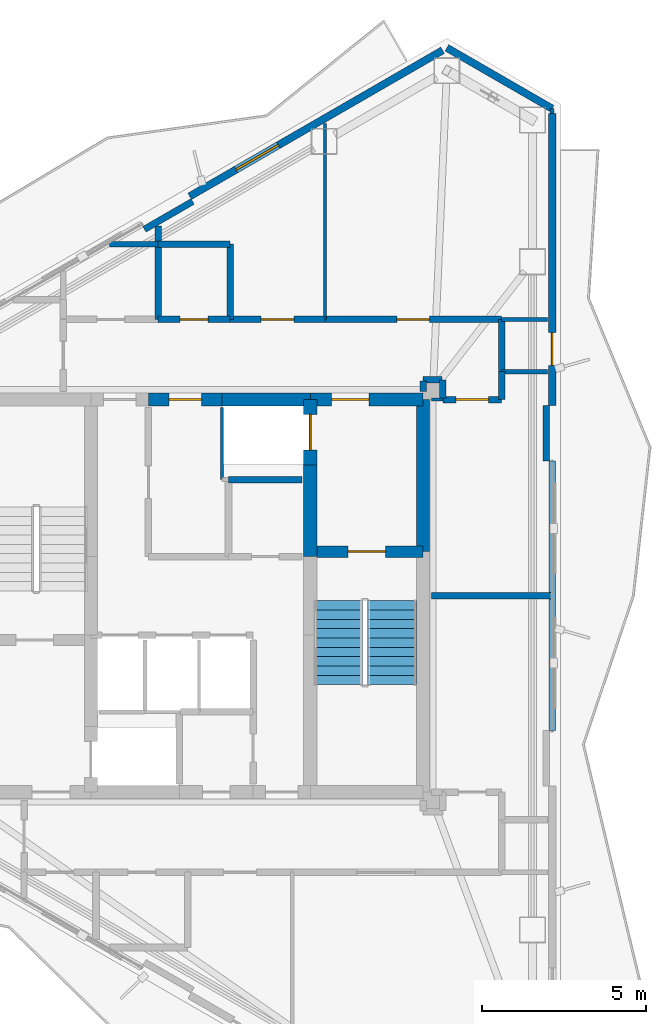
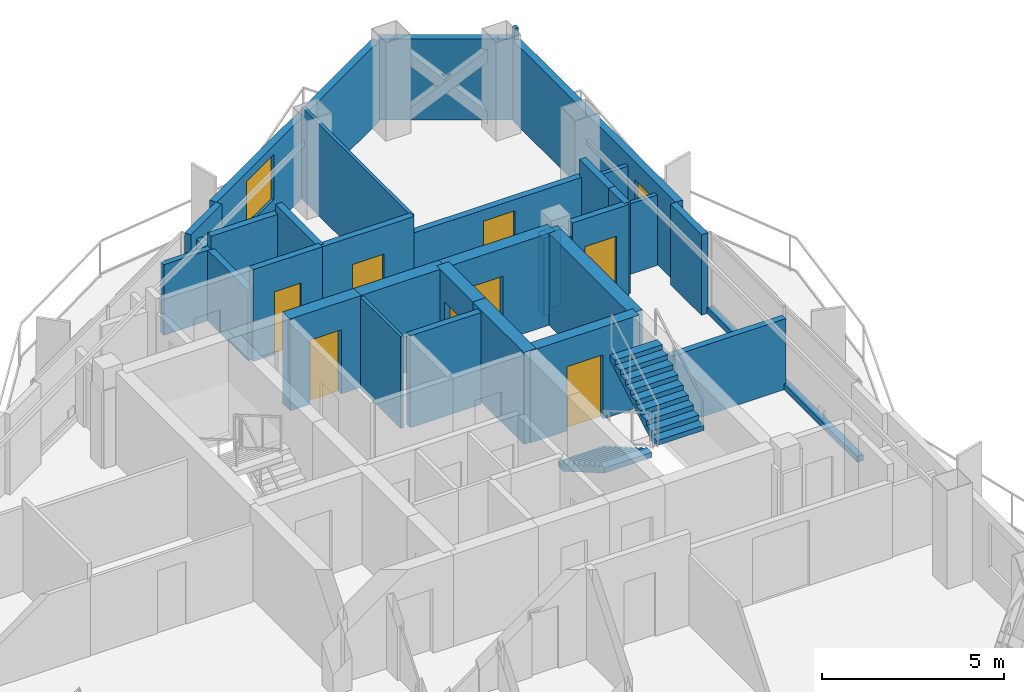
# One storey, part 16 of 18: 34 walls, 9 doors, 2 stair flights, 1 window, 10 openings, 1 element without a shape of its own.
"""IFC4 building model written with IfcOpenShell, lengths in metres."""

import ifcopenshell
import ifcopenshell.guid

model = None  # the IFC model being written
_history = None  # IfcOwnerHistory: only IFC2X3 demands one
_inside = {}  # id of a spatial element -> (the spatial element, [elements in it])
_under = {}  # id of a project, library or spatial element -> (it, [spatial elements below it])
_declared = {}  # id of a project -> (the project, [libraries it declares])
_typed = {}  # id of a type object -> (the type object, [elements of that type])
_made_of = {}  # id of a material, layer set ... -> (it, [elements and type objects made of it])


def new_model(schema):
    """Start an empty IFC model of exactly this schema.

    Asked for "IFC4X3", IfcOpenShell would pick the latest addendum, in which some entities
    have other attributes; the version numbers below select the first issue.
    IFC2X3 requires an IfcOwnerHistory on every rooted entity: one is made here for all.
    """
    global model, _history
    if schema == "IFC4X3":
        model = ifcopenshell.file(schema_version=(4, 3, 0, 0))
    else:
        model = ifcopenshell.file(schema=schema)
    _inside.clear()
    _under.clear()
    _declared.clear()
    _typed.clear()
    _made_of.clear()
    _history = None
    if model.schema == "IFC2X3":
        org = make("IfcOrganization", Name="unknown")
        user = make(
            "IfcPersonAndOrganization",
            ThePerson=make("IfcPerson", FamilyName="unknown"),
            TheOrganization=org,
        )
        app = make(
            "IfcApplication",
            ApplicationDeveloper=org,
            Version="unknown",
            ApplicationFullName="unknown",
            ApplicationIdentifier="unknown",
        )
        _history = make(
            "IfcOwnerHistory",
            OwningUser=user,
            OwningApplication=app,
            ChangeAction="ADDED",
            CreationDate=0,
        )
    return model


def make(cls, **values):
    """One entity of the class cls with the attributes given. An attribute that is None is left unset."""
    return model.create_entity(
        cls, **{name: value for name, value in values.items() if value is not None}
    )


def rooted(cls, **values):
    """An entity with a GlobalId (a new one), such as an element, a storey or a relation."""
    return make(cls, GlobalId=ifcopenshell.guid.new(), OwnerHistory=_history, **values)


def si_unit(unit_type, name, prefix=None):
    """IfcSIUnit, for example si_unit("LENGTHUNIT", "METRE", prefix="MILLI")."""
    return make("IfcSIUnit", UnitType=unit_type, Prefix=prefix, Name=name)


def assignment(units):
    """IfcUnitAssignment: the units of a project."""
    return None if units is None else make("IfcUnitAssignment", Units=units)


def point(xyz):
    """IfcCartesianPoint."""
    return None if xyz is None else make("IfcCartesianPoint", Coordinates=xyz)


def direction(xyz):
    """IfcDirection."""
    return None if xyz is None else make("IfcDirection", DirectionRatios=xyz)


def frame(location, z_axis=None, x_axis=None):
    """IfcAxis2Placement3D, a coordinate frame: its origin and axes. An axis left out is left unset."""
    return make(
        "IfcAxis2Placement3D",
        Location=point(location),
        Axis=direction(z_axis),
        RefDirection=direction(x_axis),
    )


def frame_2d(location, x_axis=None):
    """IfcAxis2Placement2D, a coordinate frame in the plane: its origin and x axis."""
    return make(
        "IfcAxis2Placement2D", Location=point(location), RefDirection=direction(x_axis)
    )


def origin():
    """The frame at (0, 0, 0) with its axes left unset."""
    return frame((0.0, 0.0, 0.0))


def place(relative_to, where):
    """IfcLocalPlacement: puts the frame where relative to a parent placement (None: the world)."""
    return make(
        "IfcLocalPlacement", PlacementRelTo=relative_to, RelativePlacement=where
    )


def context(
    kind, dimensions, precision=None, world=None, true_north=None, identifier=None
):
    """IfcGeometricRepresentationContext, for example the 3D "Model" context."""
    return make(
        "IfcGeometricRepresentationContext",
        ContextIdentifier=identifier,
        ContextType=kind,
        CoordinateSpaceDimension=dimensions,
        Precision=precision,
        WorldCoordinateSystem=world,
        TrueNorth=true_north,
    )


def subcontext(parent, identifier, kind, view, scale=None):
    """IfcGeometricRepresentationSubContext, for example "Body" below "Model"."""
    return make(
        "IfcGeometricRepresentationSubContext",
        ContextIdentifier=identifier,
        ContextType=kind,
        ParentContext=parent,
        TargetScale=scale,
        TargetView=view,
    )


def project(units=None, contexts=None):
    """IfcProject with its units and contexts."""
    return rooted(
        "IfcProject",
        Name="project",
        RepresentationContexts=contexts,
        UnitsInContext=assignment(units),
    )


def spatial(cls, under=None, at=None, **own):
    """A site, building, storey or space (cls), placed at a placement, below another one or the project."""
    s = rooted(cls, ObjectPlacement=at, **own)
    if under is not None:
        _under.setdefault(under.id(), (under, []))[1].append(s)
    return s


def polyline(points):
    """IfcPolyline through the points."""
    return make("IfcPolyline", Points=[point(p) for p in points])


def profile(cls, at=None, kind="AREA", **sizes):
    """A parametric profile (cls). Its sizes go by their IFC names, for example OverallWidth=200.0."""
    return make(cls, ProfileType=kind, Position=at, **sizes)


def rectangle(**sizes):
    """IfcRectangleProfileDef."""
    return profile("IfcRectangleProfileDef", **sizes)


def outline(outer, holes=None, kind="AREA"):
    """IfcArbitraryClosedProfileDef: a profile drawn as a closed curve; with holes, ...WithVoids."""
    if holes is None:
        return make("IfcArbitraryClosedProfileDef", ProfileType=kind, OuterCurve=outer)
    return make(
        "IfcArbitraryProfileDefWithVoids",
        ProfileType=kind,
        OuterCurve=outer,
        InnerCurves=holes,
    )


def extrude(swept, where, along, depth):
    """IfcExtrudedAreaSolid: the profile swept, set in the frame where, extruded along a direction by depth."""
    return make(
        "IfcExtrudedAreaSolid",
        SweptArea=swept,
        Position=where,
        ExtrudedDirection=direction(along),
        Depth=depth,
    )


def shape(context_of_items, identifier, shape_type, items):
    """IfcShapeRepresentation: the items that make up one representation, for example the "Body"."""
    return make(
        "IfcShapeRepresentation",
        ContextOfItems=context_of_items,
        RepresentationIdentifier=identifier,
        RepresentationType=shape_type,
        Items=items,
    )


def material(Name=None, Category=None):
    """IfcMaterial."""
    return make("IfcMaterial", Name=Name, Category=Category)


def layer(
    of_material, thickness, ventilated=None, Name=None, Category=None, Priority=None
):
    """IfcMaterialLayer: one layer of a wall or slab, of a material (None: an air gap)."""
    return make(
        "IfcMaterialLayer",
        Material=of_material,
        LayerThickness=thickness,
        IsVentilated=ventilated,
        Name=Name,
        Category=Category,
        Priority=Priority,
    )


def layer_set(layers, Name=None):
    """IfcMaterialLayerSet."""
    return make("IfcMaterialLayerSet", MaterialLayers=layers, LayerSetName=Name)


def made_of(thing, what):
    """Note that an element or type object is made of a material, layer set ...; save() writes the relation."""
    if what is not None:
        _made_of.setdefault(what.id(), (what, []))[1].append(thing)
    return thing


def type_object(cls, material=None, **own):
    """A type object (cls), such as IfcWallType, which elements share."""
    return made_of(rooted(cls, **own), material)


def element(
    cls,
    number,
    at=None,
    inside=None,
    cuts=None,
    type_object=None,
    material=None,
    context=None,
    identifier="Body",
    shape_type=None,
    held_by="IfcProductDefinitionShape",
    body=None,
    shapes=None,
    **own,
):
    """One element of the class cls, such as IfcWall. Its Tag is "e" and its number.

    at: its placement. inside: the storey or other place that contains it. cuts: it is an
    opening in that element (IfcRelVoidsElement). A single representation is given by context,
    identifier, shape_type and body (its items); several are given by shapes. held_by: the class
    of the entity that holds the representations. save() writes the other relations.
    """
    e = rooted(cls, Tag="e%d" % number, ObjectPlacement=at, **own)
    if body is not None:
        shapes = [shape(context, identifier, shape_type, body)]
    if shapes is not None:
        e.Representation = make(held_by, Representations=shapes)
    if inside is not None:
        _inside.setdefault(inside.id(), (inside, []))[1].append(e)
    if cuts is not None:
        rooted(
            "IfcRelVoidsElement", RelatingBuildingElement=cuts, RelatedOpeningElement=e
        )
    if type_object is not None:
        _typed.setdefault(type_object.id(), (type_object, []))[1].append(e)
    return made_of(e, material)


def fill(opening, filler):
    """IfcRelFillsElement: the door or window that sits in an opening."""
    return rooted(
        "IfcRelFillsElement",
        RelatingOpeningElement=opening,
        RelatedBuildingElement=filler,
    )


def aggregate(whole, parts):
    """IfcRelAggregates: a whole, such as a stair, and the parts it consists of."""
    return rooted("IfcRelAggregates", RelatingObject=whole, RelatedObjects=parts)


def save(model, path):
    """Write the relations noted so far, then the file.

    IfcRelAggregates (storeys below a building ...), IfcRelContainedInSpatialStructure (elements
    in a storey), IfcRelDefinesByType, IfcRelAssociatesMaterial and IfcRelDeclares: one each for
    every whole, place, type object, material and project.
    """
    for whole, parts in _under.values():
        aggregate(whole, parts)
    for where, things in _inside.values():
        rooted(
            "IfcRelContainedInSpatialStructure",
            RelatedElements=things,
            RelatingStructure=where,
        )
    for kind, things in _typed.values():
        rooted("IfcRelDefinesByType", RelatedObjects=things, RelatingType=kind)
    for what, things in _made_of.values():
        rooted("IfcRelAssociatesMaterial", RelatedObjects=things, RelatingMaterial=what)
    for by, libraries in _declared.values():
        rooted("IfcRelDeclares", RelatingContext=by, RelatedDefinitions=libraries)
    model.write(path)


model = new_model("IFC4")

# Units and contexts
model_context = context("Model", 3, precision=1e-05, world=origin(), true_north=direction((0.0, 1.0)))
body_context = subcontext(model_context, "Body", "Model", "MODEL_VIEW")
ifc_project = project(units=[si_unit("LENGTHUNIT", "METRE"), si_unit("AREAUNIT", "SQUARE_METRE"), si_unit("VOLUMEUNIT", "CUBIC_METRE"), si_unit("PLANEANGLEUNIT", "RADIAN"), si_unit("MASSUNIT", "GRAM", prefix="KILO")], contexts=[model_context])

# Site, building, storey
site_placement = place(None, origin())
site = spatial("IfcSite", under=ifc_project, at=site_placement, CompositionType="ELEMENT")
building_placement = place(site_placement, origin())
building = spatial("IfcBuilding", under=site, at=building_placement, Name="Mersakhor Tower and Convention Hall", CompositionType="ELEMENT")
storey_placement = place(building_placement, frame((0.0, 0.0, 236.39990234375)))
storey = spatial("IfcBuildingStorey", under=building, at=storey_placement, Name="L66", CompositionType="ELEMENT", Elevation=236.39990234375)

# Wall
ifc_material_1 = material(Name="Precast concrete C40/50", Category="concrete")
ifc_layer_1 = layer(ifc_material_1, 0.22509765625)
ifc_layer_set_1 = layer_set([ifc_layer_1], Name="Precast concrete C40/50")
wall_type_1 = type_object("IfcWallType", Name="WL-EXT-225", PredefinedType="SOLIDWALL", material=ifc_layer_set_1)
wall_1_placement = place(storey_placement, frame((36.525146484375, 43.49951171875, 0.0), z_axis=(0.0, 0.0, 1.0), x_axis=(0.866038962515, -0.499976514854, 0.0)))
element("IfcWall", 1, at=wall_1_placement, inside=storey, type_object=wall_type_1, Name="L66 Chamfer Braced Spandrel Wall C1", PredefinedType="SOLIDWALL", context=body_context, shape_type="SweptSolid", body=[
    extrude(rectangle(XDim=3.715576171875, YDim=0.22509765625, at=frame_2d((1.85791015625, 0.0))), origin(), (0.0, 0.0, 1.0), 2.7001953125),
])

# Wall, opening, window
wall_2_placement = place(storey_placement, frame((28.66357421875, 38.96044921875, 0.0), z_axis=(0.0, 0.0, 1.0), x_axis=(0.866026655105, 0.499997832642, 0.0)))
wall_2 = element("IfcWall", 2, at=wall_2_placement, inside=storey, type_object=wall_type_1, Name="L66 Exterior Facade Wall F1-B3", PredefinedType="SOLIDWALL", context=body_context, shape_type="SweptSolid", body=[
    extrude(rectangle(XDim=8.927734375, YDim=0.22509765625, at=frame_2d((4.4638671875, 0.0))), origin(), (0.0, 0.0, 1.0), 2.7001953125),
])
opening_1_placement = place(wall_2_placement, frame((1.634033203125, 0.0, 0.89990234375)))
opening_1 = element("IfcOpeningElement", 3, at=opening_1_placement, cuts=wall_2, Name="Opening W-02", PredefinedType="OPENING", context=body_context, shape_type="SweptSolid", body=[
    extrude(rectangle(XDim=1.5, YDim=1.5, at=frame_2d((0.75, 0.75))), frame((0.0, 0.12255859375, 0.0), z_axis=(0.0, -1.0, 0.0), x_axis=(1.0, 0.0, 0.0)), (0.0, 0.0, 1.0), 0.2451171875),
])
ifc_material_2 = material(Name="Dark solar low-E glazed aluminium window", Category="aluminium")
window_type = type_object("IfcWindowType", Name="WN-RES-150x150", PartitioningType="SINGLE_PANEL", PredefinedType="WINDOW", material=ifc_material_2)
window_placement = place(opening_1_placement, origin())
window = element("IfcWindow", 4, at=window_placement, inside=storey, type_object=window_type, Name="L66 Facade Punched Window F1-B3", OverallHeight=1.5, OverallWidth=1.5, PartitioningType="SINGLE_PANEL", PredefinedType="WINDOW", context=body_context, shape_type="SweptSolid", body=[
    extrude(rectangle(XDim=1.5, YDim=1.5, at=frame_2d((0.75, 0.75))), frame((0.0, 0.030029296875, 0.0), z_axis=(0.0, -1.0, 0.0), x_axis=(1.0, 0.0, 0.0)), (0.0, 0.0, 1.0), 0.06005859375),
])
fill(opening_1, window)

# Wall, opening, door
wall_3_placement = place(storey_placement, frame((39.742919921875, 41.49169921875, 0.0), z_axis=(0.0, 0.0, 1.0), x_axis=(0.0, -1.0, 0.0)))
wall_3 = element("IfcWall", 5, at=wall_3_placement, inside=storey, type_object=wall_type_1, Name="L66 Exterior Facade Wall F2-B1", PredefinedType="SOLIDWALL", context=body_context, shape_type="SweptSolid", body=[
    extrude(rectangle(XDim=8.927734375, YDim=0.22509765625, at=frame_2d((4.4638671875, 0.0))), origin(), (0.0, 0.0, 1.0), 2.7001953125),
])
opening_2_placement = place(wall_3_placement, frame((6.696044921875, 0.0, 0.0)))
opening_2 = element("IfcOpeningElement", 6, at=opening_2_placement, cuts=wall_3, Name="Opening BD-01", PredefinedType="OPENING", context=body_context, shape_type="SweptSolid", body=[
    extrude(rectangle(XDim=1.0, YDim=2.10009765625, at=frame_2d((0.5, 1.050048828125))), frame((0.0, 0.12255859375, 0.0), z_axis=(0.0, -1.0, 0.0), x_axis=(1.0, 0.0, 0.0)), (0.0, 0.0, 1.0), 0.2451171875),
])
ifc_material_3 = material(Name="Thermally broken dark aluminium and safety glass", Category="aluminium")
door_type_1 = type_object("IfcDoorType", Name="DR-BAL-100x210", OperationType="NOTDEFINED", PredefinedType="DOOR", material=ifc_material_3)
door_1_placement = place(opening_2_placement, origin())
door_1 = element("IfcDoor", 7, at=door_1_placement, inside=storey, type_object=door_type_1, Name="L66 Balcony Terrace Door F2-B1", OperationType="SINGLE_SWING_LEFT", OverallHeight=2.10009765625, OverallWidth=1.0, PredefinedType="DOOR", context=body_context, shape_type="SweptSolid", body=[
    extrude(rectangle(XDim=1.0, YDim=2.10009765625, at=frame_2d((0.5, 1.050048828125))), frame((0.0, 0.02490234375, 0.0), z_axis=(0.0, -1.0, 0.0), x_axis=(1.0, 0.0, 0.0)), (0.0, 0.0, 1.0), 0.050048828125),
])
fill(opening_2, door_1)

# Walls
ifc_material_4 = material(Name="Precast concrete C40/50", Category="concrete")
ifc_layer_2 = layer(ifc_material_4, 0.199951171875)
ifc_layer_set_2 = layer_set([ifc_layer_2], Name="Precast concrete C40/50")
wall_type_2 = type_object("IfcWallType", Name="WL-PAR-200", PredefinedType="PARAPET", material=ifc_layer_set_2)
wall_4_placement = place(storey_placement, frame((27.28125, 37.95458984375, 0.0), z_axis=(0.0, 0.0, 1.0), x_axis=(0.866025371046, 0.500000056704, 0.0)))
element("IfcWall", 8, at=wall_4_placement, inside=storey, type_object=wall_type_2, Name="L66 Column Pier Cladding Wall F1-C2", PredefinedType="PARAPET", context=body_context, shape_type="SweptSolid", body=[
    extrude(rectangle(XDim=1.7001953125, YDim=0.199951171875, at=frame_2d((0.85009765625, 0.0))), origin(), (0.0, 0.0, 1.0), 2.7001953125),
])
wall_5_placement = place(storey_placement, frame((39.742919921875, 30.864013671875, 0.0), z_axis=(0.0, 0.0, 1.0), x_axis=(0.0, -1.0, 0.0)))
element("IfcWall", 9, at=wall_5_placement, inside=storey, type_object=wall_type_2, Name="L66 Curtain Wall Upstand Sill F2-B2", PredefinedType="PARAPET", context=body_context, shape_type="SweptSolid", body=[
    extrude(rectangle(XDim=8.22802734375, YDim=0.199951171875, at=frame_2d((4.114013671875, 0.0))), origin(), (0.0, 0.0, 1.0), 0.2001953125),
])
wall_6_placement = place(storey_placement, frame((39.562744140625, 32.56396484375, 0.0), z_axis=(0.0, 0.0, 1.0), x_axis=(0.0, -1.0, 0.0)))
element("IfcWall", 10, at=wall_6_placement, inside=storey, type_object=wall_type_2, Name="L66 Column Pier Cladding Wall F2-C1", PredefinedType="PARAPET", context=body_context, shape_type="SweptSolid", body=[
    extrude(rectangle(XDim=1.699951171875, YDim=0.199951171875, at=frame_2d((0.85009765625, 0.0))), origin(), (0.0, 0.0, 1.0), 2.7001953125),
])
ifc_material_5 = material(Name="Moisture-resistant acoustic drywall studwork", Category="other")
ifc_layer_3 = layer(ifc_material_5, 0.175048828125)
ifc_layer_set_3 = layer_set([ifc_layer_3], Name="Moisture-resistant acoustic drywall studwork")
wall_type_3 = type_object("IfcWallType", Name="WL-PLM-175", PredefinedType="PLUMBINGWALL", material=ifc_layer_set_3)
wall_7_placement = place(storey_placement, frame((26.20654296875, 37.5, 0.0), z_axis=(0.0, 0.0, 1.0), x_axis=(1.0, 0.0, 0.0)))
element("IfcWall", 11, at=wall_7_placement, inside=storey, type_object=wall_type_3, Name="L66 Interior Partition Wall P-041", PredefinedType="PLUMBINGWALL", context=body_context, shape_type="SweptSolid", body=[
    extrude(rectangle(XDim=1.493408203125, YDim=0.175048828125, at=frame_2d((0.74658203125, 0.0))), origin(), (0.0, 0.0, 1.0), 2.364990234375),
])
ifc_material_6 = material(Name="Lightweight gypsum partition", Category="other")
ifc_layer_4 = layer(ifc_material_6, 0.10009765625)
ifc_layer_set_4 = layer_set([ifc_layer_4], Name="Lightweight gypsum partition")
wall_type_4 = type_object("IfcWallType", Name="WL-PRT-100", PredefinedType="PARTITIONING", material=ifc_layer_set_4)
wall_8_placement = place(storey_placement, frame((29.64990234375, 30.300048828125, 0.0), z_axis=(0.0, 0.0, 1.0), x_axis=(0.0, 1.0, 0.0)))
element("IfcWall", 12, at=wall_8_placement, inside=storey, type_object=wall_type_4, Name="L66 Interior Partition Wall P-006", PredefinedType="PARTITIONING", context=body_context, shape_type="SweptSolid", body=[
    extrude(rectangle(XDim=2.199951171875, YDim=0.10009765625, at=frame_2d((1.10009765625, 0.0))), origin(), (0.0, 0.0, 1.0), 3.080078125),
])
wall_9_placement = place(storey_placement, frame((32.800048828125, 35.199951171875, 0.0), z_axis=(0.0, 0.0, 1.0), x_axis=(0.0, 1.0, 0.0)))
element("IfcWall", 13, at=wall_9_placement, inside=storey, type_object=wall_type_4, Name="L66 Interior Partition Wall P-046", PredefinedType="PARTITIONING", context=body_context, shape_type="SweptSolid", body=[
    extrude(rectangle(XDim=5.990966796875, YDim=0.10009765625, at=frame_2d((2.99560546875, 0.0))), origin(), (0.0, 0.0, 1.0), 3.080078125),
])
wall_10_placement = place(storey_placement, frame((36.050048828125, 32.75, 0.0), z_axis=(0.0, 0.0, 1.0), x_axis=(1.0, 0.0, 0.0)))
element("IfcWall", 14, at=wall_10_placement, inside=storey, type_object=wall_type_4, Name="L66 Interior Partition Wall P-054", PredefinedType="PARTITIONING", context=body_context, shape_type="SweptSolid", body=[
    extrude(rectangle(XDim=0.349853515625, YDim=0.10009765625, at=frame_2d((0.1748046875, 0.0))), origin(), (0.0, 0.0, 1.0), 2.60498046875),
])
ifc_material_7 = material(Name="Gypsum board acoustic partition", Category="other")
ifc_layer_5 = layer(ifc_material_7, 0.125)
ifc_layer_set_5 = layer_set([ifc_layer_5], Name="Gypsum board acoustic partition")
wall_type_5 = type_object("IfcWallType", Name="WL-PRT-125", PredefinedType="PARTITIONING", material=ifc_layer_set_5)
wall_11_placement = place(storey_placement, frame((39.606201171875, 35.199951171875, 0.0), z_axis=(0.0, 0.0, 1.0), x_axis=(-1.0, 0.0, 0.0)))
element("IfcWall", 15, at=wall_11_placement, inside=storey, type_object=wall_type_5, Name="L66 Interior Partition Wall P-045", PredefinedType="PARTITIONING", context=body_context, shape_type="SweptSolid", body=[
    extrude(rectangle(XDim=1.40625, YDim=0.125, at=frame_2d((0.703125, 0.0))), origin(), (0.0, 0.0, 1.0), 2.364990234375),
])
wall_12_placement = place(storey_placement, frame((39.742919921875, 41.64208984375, 0.0), z_axis=(0.0, 0.0, 1.0), x_axis=(0.0, -1.0, 0.0)))
element("IfcWall", 16, at=wall_12_placement, inside=storey, type_object=wall_type_5, Name="L66 Interior Partition Wall P-047", PredefinedType="PARTITIONING", context=body_context, shape_type="SweptSolid", body=[
    extrude(rectangle(XDim=0.150390625, YDim=0.125, at=frame_2d((0.0751953125, 0.0))), origin(), (0.0, 0.0, 1.0), 3.080078125),
])
wall_13_placement = place(storey_placement, frame((38.199951171875, 33.60009765625, 0.0), z_axis=(0.0, 0.0, 1.0), x_axis=(1.0, 0.0, 0.0)))
element("IfcWall", 17, at=wall_13_placement, inside=storey, type_object=wall_type_5, Name="L66 Interior Partition Wall P-055", PredefinedType="PARTITIONING", context=body_context, shape_type="SweptSolid", body=[
    extrude(rectangle(XDim=1.40625, YDim=0.125, at=frame_2d((0.703125, 0.0))), origin(), (0.0, 0.0, 1.0), 2.364990234375),
])
ifc_material_8 = material(Name="Acoustic concrete blockwork and gypsum board", Category="masonry")
ifc_layer_6 = layer(ifc_material_8, 0.199951171875)
ifc_layer_set_6 = layer_set([ifc_layer_6], Name="Acoustic concrete blockwork and gypsum board")
wall_type_6 = type_object("IfcWallType", Name="WL-PRT-200", PredefinedType="PARTITIONING", material=ifc_layer_set_6)
wall_14_placement = place(storey_placement, frame((32.10009765625, 30.300048828125, 0.0), z_axis=(0.0, 0.0, 1.0), x_axis=(-1.0, 0.0, 0.0)))
element("IfcWall", 18, at=wall_14_placement, inside=storey, type_object=wall_type_6, Name="L66 Interior Partition Wall P-004", PredefinedType="PARTITIONING", context=body_context, shape_type="SweptSolid", body=[
    extrude(rectangle(XDim=2.25, YDim=0.199951171875, at=frame_2d((1.125, 0.0))), origin(), (0.0, 0.0, 1.0), 3.080078125),
])

# Wall, opening, door
wall_15_placement = place(storey_placement, frame((27.699951171875, 35.199951171875, 0.0), z_axis=(0.0, 0.0, 1.0), x_axis=(1.0, 0.0, 0.0)))
wall_15 = element("IfcWall", 19, at=wall_15_placement, inside=storey, type_object=wall_type_6, Name="L66 Interior Partition Wall P-017", PredefinedType="PARTITIONING", context=body_context, shape_type="SweptSolid", body=[
    extrude(rectangle(XDim=2.199951171875, YDim=0.199951171875, at=frame_2d((1.10009765625, 0.0))), origin(), (0.0, 0.0, 1.0), 3.080078125),
])
opening_3_placement = place(wall_15_placement, frame((0.675048828125, 0.0, 0.0)))
opening_3 = element("IfcOpeningElement", 20, at=opening_3_placement, cuts=wall_15, Name="Opening SVD-01", PredefinedType="OPENING", context=body_context, shape_type="SweptSolid", body=[
    extrude(rectangle(XDim=0.85009765625, YDim=2.10009765625, at=frame_2d((0.425048828125, 1.050048828125))), frame((0.0, 0.10986328125, 0.0), z_axis=(0.0, -1.0, 0.0), x_axis=(1.0, 0.0, 0.0)), (0.0, 0.0, 1.0), 0.219970703125),
])
ifc_material_9 = material(Name="Fire-rated hardwood leaf and painted steel frame", Category="steel")
door_type_2 = type_object("IfcDoorType", Name="DR-INT-SVC-085x210", OperationType="NOTDEFINED", PredefinedType="DOOR", material=ifc_material_9)
door_2_placement = place(opening_3_placement, origin())
door_2 = element("IfcDoor", 21, at=door_2_placement, inside=storey, type_object=door_type_2, Name="L66 Residential North Gallery Corridor to L66 Floor Household Store Room 1-2 Door", OperationType="SINGLE_SWING_LEFT", OverallHeight=2.10009765625, OverallWidth=0.85009765625, PredefinedType="DOOR", context=body_context, shape_type="SweptSolid", body=[
    extrude(rectangle(XDim=0.85009765625, YDim=2.10009765625, at=frame_2d((0.425048828125, 1.050048828125))), frame((0.0, 0.02490234375, 0.0), z_axis=(0.0, -1.0, 0.0), x_axis=(1.0, 0.0, 0.0)), (0.0, 0.0, 1.0), 0.050048828125),
])
fill(opening_3, door_2)

wall_16_placement = place(storey_placement, frame((29.89990234375, 35.199951171875, 0.0), z_axis=(0.0, 0.0, 1.0), x_axis=(1.0, 0.0, 0.0)))
wall_16 = element("IfcWall", 22, at=wall_16_placement, inside=storey, type_object=wall_type_6, Name="L66 Interior Partition Wall P-018", PredefinedType="PARTITIONING", context=body_context, shape_type="SweptSolid", body=[
    extrude(rectangle(XDim=2.900146484375, YDim=0.199951171875, at=frame_2d((1.4501953125, 0.0))), origin(), (0.0, 0.0, 1.0), 3.080078125),
])
opening_4_placement = place(wall_16_placement, frame((0.949951171875, 0.0, 0.0)))
opening_4 = element("IfcOpeningElement", 23, at=opening_4_placement, cuts=wall_16, Name="Opening FD-01", PredefinedType="OPENING", context=body_context, shape_type="SweptSolid", body=[
    extrude(rectangle(XDim=1.0, YDim=2.14990234375, at=frame_2d((0.5, 1.074951171875))), frame((0.0, 0.10986328125, 0.0), z_axis=(0.0, -1.0, 0.0), x_axis=(1.0, 0.0, 0.0)), (0.0, 0.0, 1.0), 0.219970703125),
])
ifc_material_10 = material(Name="Fire-rated hardwood leaf and painted steel frame", Category="steel")
door_type_3 = type_object("IfcDoorType", Name="DR-INT-FLT-100x215", OperationType="NOTDEFINED", PredefinedType="DOOR", material=ifc_material_10)
door_3_placement = place(opening_4_placement, origin())
door_3 = element("IfcDoor", 24, at=door_3_placement, inside=storey, type_object=door_type_3, Name="L66 Residential North Gallery Corridor to L66 Floor Shared Tea Pantry 1-3 Door", OperationType="SINGLE_SWING_RIGHT", OverallHeight=2.14990234375, OverallWidth=1.0, PredefinedType="DOOR", context=body_context, shape_type="SweptSolid", body=[
    extrude(rectangle(XDim=1.0, YDim=2.14990234375, at=frame_2d((0.5, 1.074951171875))), frame((0.0, 0.02490234375, 0.0), z_axis=(0.0, -1.0, 0.0), x_axis=(1.0, 0.0, 0.0)), (0.0, 0.0, 1.0), 0.050048828125),
])
fill(opening_4, door_3)

wall_17_placement = place(storey_placement, frame((32.800048828125, 35.199951171875, 0.0), z_axis=(0.0, 0.0, 1.0), x_axis=(1.0, 0.0, 0.0)))
wall_17 = element("IfcWall", 25, at=wall_17_placement, inside=storey, type_object=wall_type_6, Name="L66 Interior Partition Wall P-019", PredefinedType="PARTITIONING", context=body_context, shape_type="SweptSolid", body=[
    extrude(rectangle(XDim=5.39990234375, YDim=0.199951171875, at=frame_2d((2.699951171875, 0.0))), origin(), (0.0, 0.0, 1.0), 2.5283203125),
])
opening_5_placement = place(wall_17_placement, frame((2.199951171875, 0.0, 0.0)))
opening_5 = element("IfcOpeningElement", 26, at=opening_5_placement, cuts=wall_17, Name="Opening FD-01", PredefinedType="OPENING", context=body_context, shape_type="SweptSolid", body=[
    extrude(rectangle(XDim=1.0, YDim=2.14990234375, at=frame_2d((0.5, 1.074951171875))), frame((0.0, 0.10986328125, 0.0), z_axis=(0.0, -1.0, 0.0), x_axis=(1.0, 0.0, 0.0)), (0.0, 0.0, 1.0), 0.219970703125),
])
door_4_placement = place(opening_5_placement, origin())
door_4 = element("IfcDoor", 27, at=door_4_placement, inside=storey, type_object=door_type_3, Name="L66 Residential North Gallery Corridor to L66 North-East Co-Working Office Door", OperationType="SINGLE_SWING_LEFT", OverallHeight=2.14990234375, OverallWidth=1.0, PredefinedType="DOOR", context=body_context, shape_type="SweptSolid", body=[
    extrude(rectangle(XDim=1.0, YDim=2.14990234375, at=frame_2d((0.5, 1.074951171875))), frame((0.0, 0.02490234375, 0.0), z_axis=(0.0, -1.0, 0.0), x_axis=(1.0, 0.0, 0.0)), (0.0, 0.0, 1.0), 0.050048828125),
])
fill(opening_5, door_4)

# Walls
wall_18_placement = place(storey_placement, frame((38.199951171875, 35.199951171875, 0.0), z_axis=(0.0, 0.0, 1.0), x_axis=(0.0, -1.0, 0.0)))
element("IfcWall", 28, at=wall_18_placement, inside=storey, type_object=wall_type_6, Name="L66 Interior Partition Wall P-020", PredefinedType="PARTITIONING", context=body_context, shape_type="SweptSolid", body=[
    extrude(rectangle(XDim=1.599853515625, YDim=0.199951171875, at=frame_2d((0.7998046875, 0.0))), origin(), (0.0, 0.0, 1.0), 3.080078125),
])
wall_19_placement = place(storey_placement, frame((38.199951171875, 33.60009765625, 0.0), z_axis=(0.0, 0.0, 1.0), x_axis=(0.0, -1.0, 0.0)))
element("IfcWall", 29, at=wall_19_placement, inside=storey, type_object=wall_type_6, Name="L66 Interior Partition Wall P-021", PredefinedType="PARTITIONING", context=body_context, shape_type="SweptSolid", body=[
    extrude(rectangle(XDim=0.85009765625, YDim=0.199951171875, at=frame_2d((0.425048828125, 0.0))), origin(), (0.0, 0.0, 1.0), 3.080078125),
])

# Wall, opening, door
wall_20_placement = place(storey_placement, frame((38.199951171875, 32.75, 0.0), z_axis=(0.0, 0.0, 1.0), x_axis=(-1.0, 0.0, 0.0)))
wall_20 = element("IfcWall", 30, at=wall_20_placement, inside=storey, type_object=wall_type_6, Name="L66 Interior Partition Wall P-022", PredefinedType="PARTITIONING", context=body_context, shape_type="SweptSolid", body=[
    extrude(rectangle(XDim=1.800048828125, YDim=0.199951171875, at=frame_2d((0.89990234375, 0.0))), origin(), (0.0, 0.0, 1.0), 3.080078125),
])
opening_6_placement = place(wall_20_placement, frame((0.39990234375, 0.0, 0.0)))
opening_6 = element("IfcOpeningElement", 31, at=opening_6_placement, cuts=wall_20, Name="Opening FD-01", PredefinedType="OPENING", context=body_context, shape_type="SweptSolid", body=[
    extrude(rectangle(XDim=1.0, YDim=2.14990234375, at=frame_2d((0.5, 1.074951171875))), frame((0.0, 0.10986328125, 0.0), z_axis=(0.0, -1.0, 0.0), x_axis=(1.0, 0.0, 0.0)), (0.0, 0.0, 1.0), 0.219970703125),
])
door_5_placement = place(opening_6_placement, origin())
door_5 = element("IfcDoor", 32, at=door_5_placement, inside=storey, type_object=door_type_3, Name="L66 Residential North Gallery Corridor to L66 East Crown Sky Study Lounge Door", OperationType="SINGLE_SWING_RIGHT", OverallHeight=2.14990234375, OverallWidth=1.0, PredefinedType="DOOR", context=body_context, shape_type="SweptSolid", body=[
    extrude(rectangle(XDim=1.0, YDim=2.14990234375, at=frame_2d((0.5, 1.074951171875))), frame((0.0, 0.02490234375, 0.0), z_axis=(0.0, -1.0, 0.0), x_axis=(1.0, 0.0, 0.0)), (0.0, 0.0, 1.0), 0.050048828125),
])
fill(opening_6, door_5)

# Walls
for number, where, z_axis, x_axis, name in (
    (33, (36.39990234375, 32.780029296875, 0.0), (0.0, 0.0, 1.0), (0.0, 1.0, 0.0), "L66 Interior Partition Wall P-023"),
    (34, (36.3701171875, 33.35009765625, 0.0), (0.0, 0.0, 1.0), (-1.0, 0.0, 0.0), "L66 Interior Partition Wall P-024"),
):
    element("IfcWall", number, at=place(storey_placement, frame(where, z_axis=z_axis, x_axis=x_axis)), inside=storey, type_object=wall_type_6, Name=name, PredefinedType="PARTITIONING", context=body_context, shape_type="SweptSolid", body=[
        extrude(rectangle(XDim=0.570068359375, YDim=0.199951171875, at=frame_2d((0.28515625, 0.0))), origin(), (0.0, 0.0, 1.0), 2.5283203125),
    ])
wall_21_placement = place(storey_placement, frame((35.800048828125, 33.320068359375, 0.0), z_axis=(0.0, 0.0, 1.0), x_axis=(0.0, -1.0, 0.0)))
element("IfcWall", 35, at=wall_21_placement, inside=storey, type_object=wall_type_6, Name="L66 Interior Partition Wall P-025", PredefinedType="PARTITIONING", context=body_context, shape_type="SweptSolid", body=[
    extrude(rectangle(XDim=0.320068359375, YDim=0.199951171875, at=frame_2d((0.16015625, 0.0))), origin(), (0.0, 0.0, 1.0), 2.60498046875),
])
wall_22_placement = place(storey_placement, frame((27.699951171875, 38.052978515625, 0.0), z_axis=(0.0, 0.0, 1.0), x_axis=(0.0, -1.0, 0.0)))
element("IfcWall", 36, at=wall_22_placement, inside=storey, type_object=wall_type_6, Name="L66 Interior Partition Wall P-038", PredefinedType="PARTITIONING", context=body_context, shape_type="SweptSolid", body=[
    extrude(rectangle(XDim=2.85302734375, YDim=0.199951171875, at=frame_2d((1.426513671875, 0.0))), origin(), (0.0, 0.0, 1.0), 2.364990234375),
])
wall_23_placement = place(storey_placement, frame((39.702880859375, 26.75, 0.0), z_axis=(0.0, 0.0, 1.0), x_axis=(-1.0, 0.0, 0.0)))
element("IfcWall", 37, at=wall_23_placement, inside=storey, type_object=wall_type_6, Name="L66 Interior Partition Wall P-056", PredefinedType="PARTITIONING", context=body_context, shape_type="SweptSolid", body=[
    extrude(rectangle(XDim=3.65283203125, YDim=0.199951171875, at=frame_2d((1.826416015625, 0.0))), origin(), (0.0, 0.0, 1.0), 2.364990234375),
])
wall_24_placement = place(storey_placement, frame((27.699951171875, 37.5, 0.0), z_axis=(0.0, 0.0, 1.0), x_axis=(1.0, 0.0, 0.0)))
element("IfcWall", 38, at=wall_24_placement, inside=storey, type_object=wall_type_6, Name="L66 Interior Partition Wall P-059", PredefinedType="PARTITIONING", context=body_context, shape_type="SweptSolid", body=[
    extrude(rectangle(XDim=2.199951171875, YDim=0.199951171875, at=frame_2d((1.10009765625, 0.0))), origin(), (0.0, 0.0, 1.0), 2.8046875),
])
wall_25_placement = place(storey_placement, frame((29.89990234375, 37.5, 0.0), z_axis=(0.0, 0.0, 1.0), x_axis=(0.0, -1.0, 0.0)))
element("IfcWall", 39, at=wall_25_placement, inside=storey, type_object=wall_type_6, Name="L66 Interior Partition Wall P-060", PredefinedType="PARTITIONING", context=body_context, shape_type="SweptSolid", body=[
    extrude(rectangle(XDim=2.300048828125, YDim=0.199951171875, at=frame_2d((1.14990234375, 0.0))), origin(), (0.0, 0.0, 1.0), 3.080078125),
])

# Wall, opening, door
ifc_material_11 = material(Name="Concrete C50/60", Category="concrete")
ifc_layer_7 = layer(ifc_material_11, 0.35009765625)
ifc_layer_set_7 = layer_set([ifc_layer_7], Name="Concrete C50/60")
wall_type_7 = type_object("IfcWallType", Name="WL-SHR-350", PredefinedType="SHEAR", material=ifc_layer_set_7)
wall_26_placement = place(storey_placement, frame((32.35009765625, 28.10009765625, 0.0), z_axis=(0.0, 0.0, 1.0), x_axis=(1.0, 0.0, 0.0)))
wall_26 = element("IfcWall", 40, at=wall_26_placement, inside=storey, type_object=wall_type_7, Name="L66 Core Wall CS-ST2-N", PredefinedType="SHEAR", context=body_context, shape_type="SweptSolid", body=[
    extrude(rectangle(XDim=3.449951171875, YDim=0.35009765625, at=frame_2d((1.72509765625, 0.0))), origin(), (0.0, 0.0, 1.0), 3.080078125),
])
opening_7_placement = place(wall_26_placement, frame((1.14990234375, 0.0, 0.0)))
opening_7 = element("IfcOpeningElement", 41, at=opening_7_placement, cuts=wall_26, Name="Opening SD-01", PredefinedType="OPENING", context=body_context, shape_type="SweptSolid", body=[
    extrude(rectangle(XDim=1.14990234375, YDim=2.14990234375, at=frame_2d((0.574951171875, 1.074951171875))), frame((0.0, 0.18505859375, 0.0), z_axis=(0.0, -1.0, 0.0), x_axis=(1.0, 0.0, 0.0)), (0.0, 0.0, 1.0), 0.3701171875),
])
ifc_material_12 = material(Name="Fire-rated hardwood leaf and painted steel frame", Category="steel")
door_type_4 = type_object("IfcDoorType", Name="DR-INT-STAIR-115x215", OperationType="NOTDEFINED", PredefinedType="DOOR", material=ifc_material_12)
door_6_placement = place(opening_7_placement, origin())
door_6 = element("IfcDoor", 42, at=door_6_placement, inside=storey, type_object=door_type_4, Name="L66 Exit Stair ST-2 Enclosure Door", OperationType="SINGLE_SWING_RIGHT", OverallHeight=2.14990234375, OverallWidth=1.14990234375, PredefinedType="DOOR", context=body_context, shape_type="SweptSolid", body=[
    extrude(rectangle(XDim=1.14990234375, YDim=2.14990234375, at=frame_2d((0.574951171875, 1.074951171875))), frame((0.0, 0.02490234375, 0.0), z_axis=(0.0, -1.0, 0.0), x_axis=(1.0, 0.0, 0.0)), (0.0, 0.0, 1.0), 0.050048828125),
])
fill(opening_7, door_6)

ifc_material_13 = material(Name="Concrete C60/75", Category="concrete")
ifc_layer_8 = layer(ifc_material_13, 0.39990234375)
ifc_layer_set_8 = layer_set([ifc_layer_8], Name="Concrete C60/75")
wall_type_8 = type_object("IfcWallType", Name="WL-SHR-400", PredefinedType="SHEAR", material=ifc_layer_set_8)
wall_27_placement = place(storey_placement, frame((27.39990234375, 32.75, 0.0), z_axis=(0.0, 0.0, 1.0), x_axis=(1.0, 0.0, 0.0)))
wall_27 = element("IfcWall", 43, at=wall_27_placement, inside=storey, type_object=wall_type_8, Name="L66 Core Wall CW-N2B", PredefinedType="SHEAR", context=body_context, shape_type="SweptSolid", body=[
    extrude(rectangle(XDim=2.25, YDim=0.39990234375, at=frame_2d((1.125, 0.0))), origin(), (0.0, 0.0, 1.0), 3.080078125),
])
opening_8_placement = place(wall_27_placement, frame((0.625, 0.0, 0.0)))
opening_8 = element("IfcOpeningElement", 44, at=opening_8_placement, cuts=wall_27, Name="Opening FD-01", PredefinedType="OPENING", context=body_context, shape_type="SweptSolid", body=[
    extrude(rectangle(XDim=1.0, YDim=2.14990234375, at=frame_2d((0.5, 1.074951171875))), frame((0.0, 0.2099609375, 0.0), z_axis=(0.0, -1.0, 0.0), x_axis=(1.0, 0.0, 0.0)), (0.0, 0.0, 1.0), 0.419921875),
])
door_7_placement = place(opening_8_placement, origin())
door_7 = element("IfcDoor", 45, at=door_7_placement, inside=storey, type_object=door_type_3, Name="L66 Residential North Gallery Corridor to Communal Resident Laundry Room Door", OperationType="SINGLE_SWING_RIGHT", OverallHeight=2.14990234375, OverallWidth=1.0, PredefinedType="DOOR", context=body_context, shape_type="SweptSolid", body=[
    extrude(rectangle(XDim=1.0, YDim=2.14990234375, at=frame_2d((0.5, 1.074951171875))), frame((0.0, 0.02490234375, 0.0), z_axis=(0.0, -1.0, 0.0), x_axis=(1.0, 0.0, 0.0)), (0.0, 0.0, 1.0), 0.050048828125),
])
fill(opening_8, door_7)

# Wall
wall_28_placement = place(storey_placement, frame((29.64990234375, 32.75, 0.0), z_axis=(0.0, 0.0, 1.0), x_axis=(1.0, 0.0, 0.0)))
element("IfcWall", 46, at=wall_28_placement, inside=storey, type_object=wall_type_8, Name="L66 Core Wall CW-N3", PredefinedType="SHEAR", context=body_context, shape_type="SweptSolid", body=[
    extrude(rectangle(XDim=2.7001953125, YDim=0.39990234375, at=frame_2d((1.35009765625, 0.0))), origin(), (0.0, 0.0, 1.0), 3.080078125),
])

# Wall, opening, door
wall_29_placement = place(storey_placement, frame((32.35009765625, 32.75, 0.0), z_axis=(0.0, 0.0, 1.0), x_axis=(1.0, 0.0, 0.0)))
wall_29 = element("IfcWall", 47, at=wall_29_placement, inside=storey, type_object=wall_type_8, Name="L66 Core Wall CW-N4", PredefinedType="SHEAR", context=body_context, shape_type="SweptSolid", body=[
    extrude(rectangle(XDim=3.449951171875, YDim=0.39990234375, at=frame_2d((1.72509765625, 0.0))), origin(), (0.0, 0.0, 1.0), 3.080078125),
])
opening_9_placement = place(wall_29_placement, frame((0.64990234375, 0.0, 0.0)))
opening_9 = element("IfcOpeningElement", 48, at=opening_9_placement, cuts=wall_29, Name="Opening SD-01", PredefinedType="OPENING", context=body_context, shape_type="SweptSolid", body=[
    extrude(rectangle(XDim=1.14990234375, YDim=2.14990234375, at=frame_2d((0.574951171875, 1.074951171875))), frame((0.0, 0.2099609375, 0.0), z_axis=(0.0, -1.0, 0.0), x_axis=(1.0, 0.0, 0.0)), (0.0, 0.0, 1.0), 0.419921875),
])
door_8_placement = place(opening_9_placement, origin())
door_8 = element("IfcDoor", 49, at=door_8_placement, inside=storey, type_object=door_type_4, Name="L66 Firefighting Lobby East Fire Door", OperationType="SINGLE_SWING_RIGHT", OverallHeight=2.14990234375, OverallWidth=1.14990234375, PredefinedType="DOOR", context=body_context, shape_type="SweptSolid", body=[
    extrude(rectangle(XDim=1.14990234375, YDim=2.14990234375, at=frame_2d((0.574951171875, 1.074951171875))), frame((0.0, 0.02490234375, 0.0), z_axis=(0.0, -1.0, 0.0), x_axis=(1.0, 0.0, 0.0)), (0.0, 0.0, 1.0), 0.050048828125),
])
fill(opening_9, door_8)

# Walls
wall_30_placement = place(storey_placement, frame((35.800048828125, 32.75, 0.0), z_axis=(0.0, 0.0, 1.0), x_axis=(0.0, -1.0, 0.0)))
element("IfcWall", 50, at=wall_30_placement, inside=storey, type_object=wall_type_8, Name="L66 Core Wall CW-E1", PredefinedType="SHEAR", context=body_context, shape_type="SweptSolid", body=[
    extrude(rectangle(XDim=4.64990234375, YDim=0.39990234375, at=frame_2d((2.324951171875, 0.0))), origin(), (0.0, 0.0, 1.0), 3.080078125),
])
wall_31_placement = place(storey_placement, frame((32.35009765625, 27.949951171875, 0.0), z_axis=(0.0, 0.0, 1.0), x_axis=(0.0, 1.0, 0.0)))
element("IfcWall", 51, at=wall_31_placement, inside=storey, type_object=wall_type_8, Name="L66 Core Wall CS-E-MID", PredefinedType="SHEAR", context=body_context, shape_type="SweptSolid", body=[
    extrude(rectangle(XDim=2.800048828125, YDim=0.39990234375, at=frame_2d((1.39990234375, 0.0))), origin(), (0.0, 0.0, 1.0), 3.080078125),
])

# Wall, opening, door
wall_32_placement = place(storey_placement, frame((32.35009765625, 30.75, 0.0), z_axis=(0.0, 0.0, 1.0), x_axis=(0.0, 1.0, 0.0)))
wall_32 = element("IfcWall", 52, at=wall_32_placement, inside=storey, type_object=wall_type_8, Name="L66 Core Wall CS-E-FFL", PredefinedType="SHEAR", context=body_context, shape_type="SweptSolid", body=[
    extrude(rectangle(XDim=2.0, YDim=0.39990234375, at=frame_2d((1.0, 0.0))), origin(), (0.0, 0.0, 1.0), 3.080078125),
])
opening_10_placement = place(wall_32_placement, frame((0.449951171875, 0.0, 0.0)))
opening_10 = element("IfcOpeningElement", 53, at=opening_10_placement, cuts=wall_32, Name="Opening LD-FFL2", PredefinedType="OPENING", context=body_context, shape_type="SweptSolid", body=[
    extrude(rectangle(XDim=1.10009765625, YDim=2.14990234375, at=frame_2d((0.550048828125, 1.074951171875))), frame((0.0, 0.2099609375, 0.0), z_axis=(0.0, -1.0, 0.0), x_axis=(1.0, 0.0, 0.0)), (0.0, 0.0, 1.0), 0.419921875),
])
ifc_material_14 = material(Name="Fire-rated brushed stainless steel sliding landing door", Category="steel")
door_type_5 = type_object("IfcDoorType", Name="DR-LIFT-SLD-110x215", OperationType="NOTDEFINED", PredefinedType="DOOR", material=ifc_material_14)
door_9_placement = place(opening_10_placement, origin())
door_9 = element("IfcDoor", 54, at=door_9_placement, inside=storey, type_object=door_type_5, Name="L66 Firefighting Lift Landing Door LD-FFL2", OperationType="SLIDING_TO_LEFT", OverallHeight=2.14990234375, OverallWidth=1.10009765625, PredefinedType="DOOR", context=body_context, shape_type="SweptSolid", body=[
    extrude(rectangle(XDim=1.10009765625, YDim=2.14990234375, at=frame_2d((0.550048828125, 1.074951171875))), frame((0.0, 0.02490234375, 0.0), z_axis=(0.0, -1.0, 0.0), x_axis=(1.0, 0.0, 0.0)), (0.0, 0.0, 1.0), 0.050048828125),
])
fill(opening_10, door_9)

# Stair, stair flights
ifc_material_15 = material(Name="Concrete C45/55", Category="concrete")
stair_type = type_object("IfcStairType", Name="ST-TWR-20R", PredefinedType="HALF_TURN_STAIR", material=ifc_material_15)
stair_placement = place(storey_placement, origin())
stair = element("IfcStair", 55, at=stair_placement, inside=storey, type_object=stair_type, Name="L66 Tower Protected Exit Stair ST-2", PredefinedType="HALF_TURN_STAIR")
ifc_material_16 = material(Name="Concrete C45/55", Category="concrete")
stair_flight_type = type_object("IfcStairFlightType", Name="SFL-TWR-20R", PredefinedType="STRAIGHT", material=ifc_material_16)
stair_flight_1_placement = place(storey_placement, frame((33.199951171875, 26.60009765625, 0.0), z_axis=(0.0, 0.0, 1.0), x_axis=(0.0, -1.0, 0.0)))
stair_flight_1 = element("IfcStairFlight", 56, at=stair_flight_1_placement, type_object=stair_flight_type, Name="ST-2 flight 1", NumberOfRisers=10, NumberOfTreads=9, PredefinedType="STRAIGHT", RiserHeight=0.165, TreadLength=0.285, context=body_context, shape_type="SweptSolid", body=[
    extrude(outline(polyline([(0.0, 0.0), (0.0, 0.1650390625), (0.284912109375, 0.1650390625), (0.284912109375, 0.330078125), (0.570068359375, 0.330078125), (0.570068359375, 0.4951171875), (0.85498046875, 0.4951171875), (0.85498046875, 0.659912109375), (1.139892578125, 0.659912109375), (1.139892578125, 0.824951171875), (1.425048828125, 0.824951171875), (1.425048828125, 0.989990234375), (1.7099609375, 0.989990234375), (1.7099609375, 1.155029296875), (1.9951171875, 1.155029296875), (1.9951171875, 1.320068359375), (2.280029296875, 1.320068359375), (2.280029296875, 1.485107421875), (2.56494140625, 1.485107421875), (2.56494140625, 1.64990234375), (2.56494140625, 1.311767578125), (0.299072265625, 0.0), (0.0, 0.0)])), frame((0.0, 0.75, 0.0), z_axis=(0.0, -1.0, 0.0), x_axis=(1.0, 0.0, 0.0)), (0.0, 0.0, 1.0), 1.5),
])
stair_flight_2_placement = place(storey_placement, frame((34.85009765625, 24.034912109375, 1.650146484375), z_axis=(0.0, 0.0, 1.0), x_axis=(0.0, 1.0, 0.0)))
stair_flight_2 = element("IfcStairFlight", 57, at=stair_flight_2_placement, type_object=stair_flight_type, Name="ST-2 flight 2", NumberOfRisers=10, NumberOfTreads=9, PredefinedType="STRAIGHT", RiserHeight=0.165, TreadLength=0.285, context=body_context, shape_type="SweptSolid", body=[
    extrude(outline(polyline([(0.0, 0.0), (0.0, 0.1650390625), (0.284912109375, 0.1650390625), (0.284912109375, 0.330078125), (0.570068359375, 0.330078125), (0.570068359375, 0.4951171875), (0.85498046875, 0.4951171875), (0.85498046875, 0.659912109375), (1.139892578125, 0.659912109375), (1.139892578125, 0.824951171875), (1.425048828125, 0.824951171875), (1.425048828125, 0.989990234375), (1.7099609375, 0.989990234375), (1.7099609375, 1.155029296875), (1.9951171875, 1.155029296875), (1.9951171875, 1.320068359375), (2.280029296875, 1.320068359375), (2.280029296875, 1.485107421875), (2.56494140625, 1.485107421875), (2.56494140625, 1.64990234375), (2.56494140625, 1.311767578125), (0.299072265625, 0.0), (0.0, 0.0)])), frame((0.0, 0.75, 0.0), z_axis=(0.0, -1.0, 0.0), x_axis=(1.0, 0.0, 0.0)), (0.0, 0.0, 1.0), 1.5),
])
aggregate(stair, [stair_flight_1, stair_flight_2])

save(model, "model.ifc")
